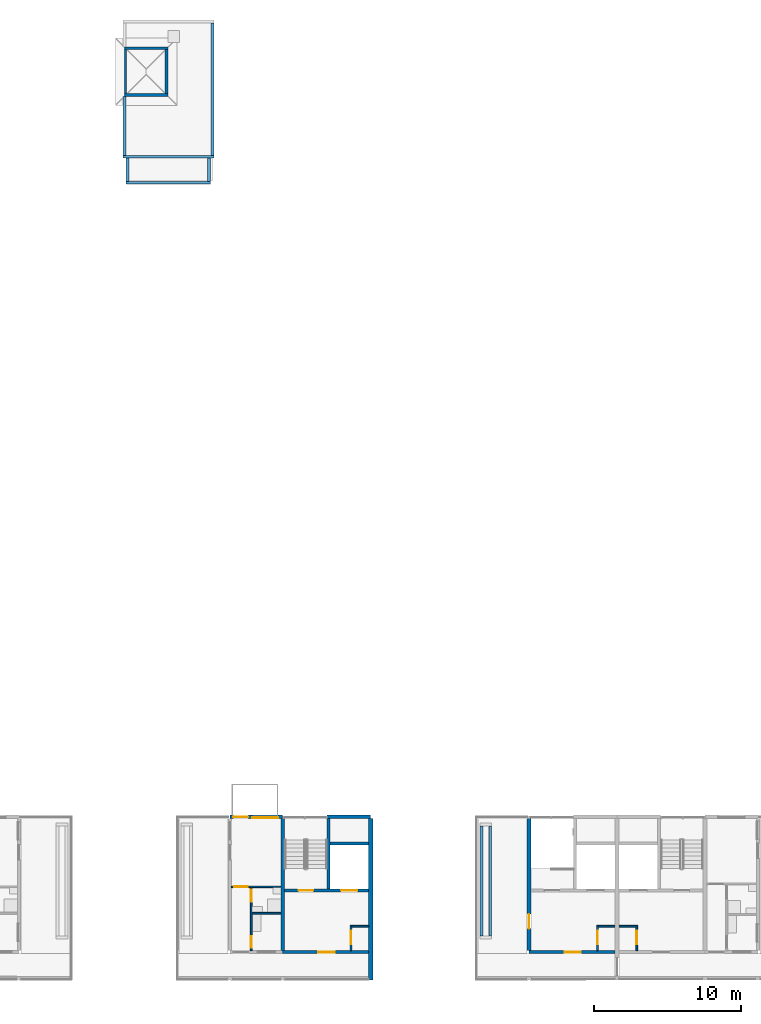
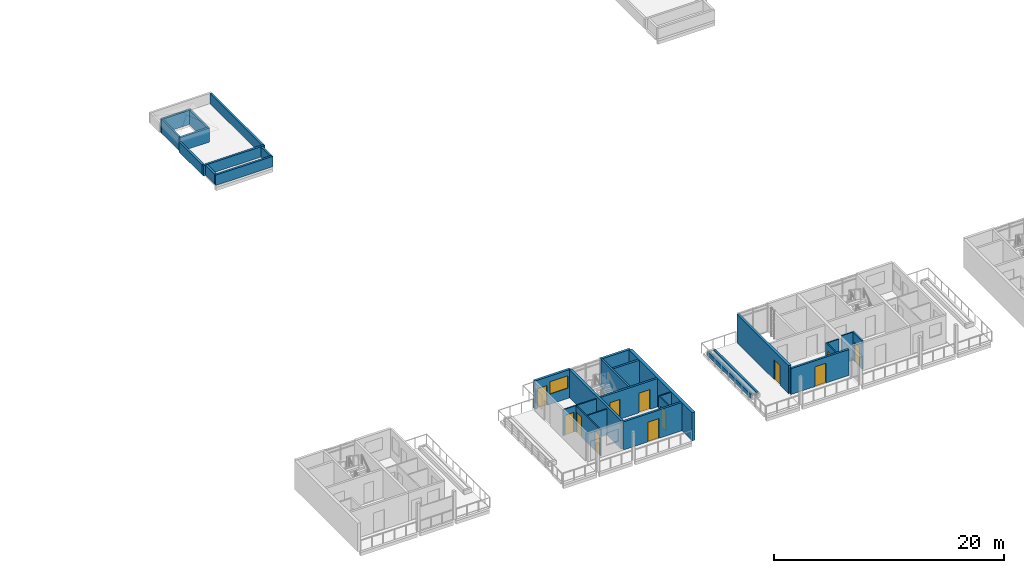
# One storey, part 23 of 41: 31 walls, 12 doors, 1 window, 13 openings.
"""IFC4 building model written with IfcOpenShell, lengths in metres."""

from ifc_helpers import new_model, si_unit, direction, frame, frame_2d, origin, place, context, subcontext, project, spatial, rectangle, extrude, material, layer, layer_set, type_object, element, fill, save


model = new_model("IFC4")

# Units and contexts
model_context = context("Model", 3, precision=1e-05, world=origin(), true_north=direction((0.0, 1.0)))
body_context = subcontext(model_context, "Body", "Model", "MODEL_VIEW")
ifc_project = project(units=[si_unit("LENGTHUNIT", "METRE"), si_unit("AREAUNIT", "SQUARE_METRE"), si_unit("VOLUMEUNIT", "CUBIC_METRE"), si_unit("PLANEANGLEUNIT", "RADIAN"), si_unit("MASSUNIT", "GRAM", prefix="KILO")], contexts=[model_context])

# Site, building, storey
site_placement = place(None, origin())
site = spatial("IfcSite", under=ifc_project, at=site_placement, CompositionType="ELEMENT")
building_placement = place(site_placement, origin())
building = spatial("IfcBuilding", under=site, at=building_placement, Name="Ridgestep Commons", CompositionType="ELEMENT")
storey_placement = place(building_placement, frame((0.0, 0.0, 39.0)))
storey = spatial("IfcBuildingStorey", under=building, at=storey_placement, Name="L13", CompositionType="ELEMENT", Elevation=39.0)

# Wall
ifc_material_1 = material(Name="Concrete C30/37", Category="concrete")
ifc_layer_1 = layer(ifc_material_1, 0.25)
ifc_layer_set_1 = layer_set([ifc_layer_1], Name="Core cross wall 250")
wall_type_1 = type_object("IfcWallType", Name="Core cross wall 250", PredefinedType="SHEAR", material=ifc_layer_set_1)
wall_1_placement = place(storey_placement, frame((191.199951171875, 13.75, 0.0), z_axis=(0.0, 0.0, 1.0), x_axis=(0.0, 1.0, 0.0)))
element("IfcWall", 1, at=wall_1_placement, inside=storey, type_object=wall_type_1, Name="Cross wall D-13-1912", PredefinedType="SHEAR", context=body_context, shape_type="SweptSolid", body=[
    extrude(rectangle(XDim=9.0, YDim=0.25, at=frame_2d((4.5, 0.0))), origin(), (0.0, 0.0, 1.0), 3.0),
])

# Wall, opening, door
ifc_material_2 = material(Name="Concrete C30/37", Category="concrete")
ifc_layer_2 = layer(ifc_material_2, 0.199951171875)
ifc_layer_set_2 = layer_set([ifc_layer_2], Name="Core south wall 200")
wall_type_2 = type_object("IfcWallType", Name="Core south wall 200", PredefinedType="SHEAR", material=ifc_layer_set_2)
wall_2_placement = place(storey_placement, frame((191.199951171875, 13.64990234375, 0.0), z_axis=(0.0, 0.0, 1.0), x_axis=(1.0, 0.0, 0.0)))
wall_2 = element("IfcWall", 2, at=wall_2_placement, inside=storey, type_object=wall_type_2, Name="Core south wall D3C L13", PredefinedType="SHEAR", context=body_context, shape_type="SweptSolid", body=[
    extrude(rectangle(XDim=5.85009765625, YDim=0.199951171875, at=frame_2d((2.925048828125, 0.0))), origin(), (0.0, 0.0, 1.0), 3.0),
])
opening_1_placement = place(wall_2_placement, frame((2.4375, 0.0, 0.0)))
opening_1 = element("IfcOpeningElement", 3, at=opening_1_placement, cuts=wall_2, Name="Opening D3C/13/1", PredefinedType="OPENING", context=body_context, shape_type="SweptSolid", body=[
    extrude(rectangle(XDim=1.10009765625, YDim=2.10009765625, at=frame_2d((0.550048828125, 1.050048828125))), frame((0.0, 0.10986328125, 0.0), z_axis=(0.0, -1.0, 0.0), x_axis=(1.0, 0.0, 0.0)), (0.0, 0.0, 1.0), 0.219970703125),
])
ifc_material_3 = material(Name="Steel fire door", Category="steel")
door_type_1 = type_object("IfcDoorType", Name="Lobby door 1100 x 2100 FD60", OperationType="NOTDEFINED", PredefinedType="DOOR", material=ifc_material_3)
door_1_placement = place(opening_1_placement, origin())
door_1 = element("IfcDoor", 4, at=door_1_placement, inside=storey, type_object=door_type_1, Name="Lobby door D3C/13/1", OperationType="SINGLE_SWING_LEFT", OverallHeight=2.10009765625, OverallWidth=1.10009765625, PredefinedType="DOOR", context=body_context, shape_type="SweptSolid", body=[
    extrude(rectangle(XDim=1.10009765625, YDim=2.10009765625, at=frame_2d((0.550048828125, 1.050048828125))), frame((0.0, 0.02490234375, 0.0), z_axis=(0.0, -1.0, 0.0), x_axis=(1.0, 0.0, 0.0)), (0.0, 0.0, 1.0), 0.050048828125),
])
fill(opening_1, door_1)

wall_3_placement = place(storey_placement, frame((208.0, 13.64990234375, 0.0), z_axis=(0.0, 0.0, 1.0), x_axis=(1.0, 0.0, 0.0)))
wall_3 = element("IfcWall", 5, at=wall_3_placement, inside=storey, type_object=wall_type_2, Name="Core south wall D4C L13", PredefinedType="SHEAR", context=body_context, shape_type="SweptSolid", body=[
    extrude(rectangle(XDim=5.85009765625, YDim=0.199951171875, at=frame_2d((2.925048828125, 0.0))), origin(), (0.0, 0.0, 1.0), 2.75),
])
opening_2_placement = place(wall_3_placement, frame((2.4375, 0.0, 0.0)))
opening_2 = element("IfcOpeningElement", 6, at=opening_2_placement, cuts=wall_3, Name="Opening D4C/13/1", PredefinedType="OPENING", context=body_context, shape_type="SweptSolid", body=[
    extrude(rectangle(XDim=1.10009765625, YDim=2.10009765625, at=frame_2d((0.550048828125, 1.050048828125))), frame((0.0, 0.10986328125, 0.0), z_axis=(0.0, -1.0, 0.0), x_axis=(1.0, 0.0, 0.0)), (0.0, 0.0, 1.0), 0.219970703125),
])
door_2_placement = place(opening_2_placement, origin())
door_2 = element("IfcDoor", 7, at=door_2_placement, inside=storey, type_object=door_type_1, Name="Lobby door D4C/13/1", OperationType="SINGLE_SWING_LEFT", OverallHeight=2.10009765625, OverallWidth=1.10009765625, PredefinedType="DOOR", context=body_context, shape_type="SweptSolid", body=[
    extrude(rectangle(XDim=1.10009765625, YDim=2.10009765625, at=frame_2d((0.550048828125, 1.050048828125))), frame((0.0, 0.02490234375, 0.0), z_axis=(0.0, -1.0, 0.0), x_axis=(1.0, 0.0, 0.0)), (0.0, 0.0, 1.0), 0.050048828125),
])
fill(opening_2, door_2)

ifc_material_4 = material(Name="Concrete C30/37", Category="concrete")
ifc_layer_3 = layer(ifc_material_4, 0.1201171875)
ifc_layer_set_3 = layer_set([ifc_layer_3], Name="Core wall 120")
wall_type_3 = type_object("IfcWallType", Name="Core wall 120", PredefinedType="SHEAR", material=ifc_layer_set_3)
wall_4_placement = place(storey_placement, frame((195.860107421875, 13.75, 0.0), z_axis=(0.0, 0.0, 1.0), x_axis=(0.0, 1.0, 0.0)))
wall_4 = element("IfcWall", 8, at=wall_4_placement, inside=storey, type_object=wall_type_3, Name="Core riser w wall D3C L13", PredefinedType="SHEAR", context=body_context, shape_type="SweptSolid", body=[
    extrude(rectangle(XDim=1.719970703125, YDim=0.1201171875, at=frame_2d((0.85986328125, 0.0))), origin(), (0.0, 0.0, 1.0), 3.0),
])
opening_3_placement = place(wall_4_placement, frame((0.449951171875, 0.0, 0.0)))
opening_3 = element("IfcOpeningElement", 9, at=opening_3_placement, cuts=wall_4, Name="Opening D3C/13/4", PredefinedType="OPENING", context=body_context, shape_type="SweptSolid", body=[
    extrude(rectangle(XDim=0.89990234375, YDim=2.10009765625, at=frame_2d((0.449951171875, 1.050048828125))), frame((0.0, 0.070068359375, 0.0), z_axis=(0.0, -1.0, 0.0), x_axis=(1.0, 0.0, 0.0)), (0.0, 0.0, 1.0), 0.14013671875),
])
ifc_material_5 = material(Name="Steel fire door", Category="steel")
door_type_2 = type_object("IfcDoorType", Name="Riser door 900 x 2100 FD60", OperationType="NOTDEFINED", PredefinedType="DOOR", material=ifc_material_5)
door_3_placement = place(opening_3_placement, origin())
door_3 = element("IfcDoor", 10, at=door_3_placement, inside=storey, type_object=door_type_2, Name="Riser door D3C/13/4", OperationType="SINGLE_SWING_LEFT", OverallHeight=2.10009765625, OverallWidth=0.89990234375, PredefinedType="DOOR", context=body_context, shape_type="SweptSolid", body=[
    extrude(rectangle(XDim=0.89990234375, YDim=2.10009765625, at=frame_2d((0.449951171875, 1.050048828125))), frame((0.0, 0.02490234375, 0.0), z_axis=(0.0, -1.0, 0.0), x_axis=(1.0, 0.0, 0.0)), (0.0, 0.0, 1.0), 0.050048828125),
])
fill(opening_3, door_3)

# Wall
wall_5_placement = place(storey_placement, frame((195.919921875, 15.409912109375, 0.0), z_axis=(0.0, 0.0, 1.0), x_axis=(1.0, 0.0, 0.0)))
element("IfcWall", 11, at=wall_5_placement, inside=storey, type_object=wall_type_3, Name="Core riser n wall D3C L13", PredefinedType="SHEAR", context=body_context, shape_type="SweptSolid", body=[
    extrude(rectangle(XDim=1.130126953125, YDim=0.1201171875, at=frame_2d((0.56494140625, 0.0))), origin(), (0.0, 0.0, 1.0), 3.0),
])

# Wall, opening, door
wall_6_placement = place(storey_placement, frame((212.659912109375, 13.75, 0.0), z_axis=(0.0, 0.0, 1.0), x_axis=(0.0, 1.0, 0.0)))
wall_6 = element("IfcWall", 12, at=wall_6_placement, inside=storey, type_object=wall_type_3, Name="Core riser w wall D4C L13", PredefinedType="SHEAR", context=body_context, shape_type="SweptSolid", body=[
    extrude(rectangle(XDim=1.719970703125, YDim=0.1201171875, at=frame_2d((0.85986328125, 0.0))), origin(), (0.0, 0.0, 1.0), 2.75),
])
opening_4_placement = place(wall_6_placement, frame((0.449951171875, 0.0, 0.0)))
opening_4 = element("IfcOpeningElement", 13, at=opening_4_placement, cuts=wall_6, Name="Opening D4C/13/4", PredefinedType="OPENING", context=body_context, shape_type="SweptSolid", body=[
    extrude(rectangle(XDim=0.89990234375, YDim=2.10009765625, at=frame_2d((0.449951171875, 1.050048828125))), frame((0.0, 0.070068359375, 0.0), z_axis=(0.0, -1.0, 0.0), x_axis=(1.0, 0.0, 0.0)), (0.0, 0.0, 1.0), 0.14013671875),
])
door_4_placement = place(opening_4_placement, origin())
door_4 = element("IfcDoor", 14, at=door_4_placement, inside=storey, type_object=door_type_2, Name="Riser door D4C/13/4", OperationType="SINGLE_SWING_LEFT", OverallHeight=2.10009765625, OverallWidth=0.89990234375, PredefinedType="DOOR", context=body_context, shape_type="SweptSolid", body=[
    extrude(rectangle(XDim=0.89990234375, YDim=2.10009765625, at=frame_2d((0.449951171875, 1.050048828125))), frame((0.0, 0.02490234375, 0.0), z_axis=(0.0, -1.0, 0.0), x_axis=(1.0, 0.0, 0.0)), (0.0, 0.0, 1.0), 0.050048828125),
])
fill(opening_4, door_4)

# Wall
wall_7_placement = place(storey_placement, frame((212.719970703125, 15.409912109375, 0.0), z_axis=(0.0, 0.0, 1.0), x_axis=(1.0, 0.0, 0.0)))
element("IfcWall", 15, at=wall_7_placement, inside=storey, type_object=wall_type_3, Name="Core riser n wall D4C L13", PredefinedType="SHEAR", context=body_context, shape_type="SweptSolid", body=[
    extrude(rectangle(XDim=1.130126953125, YDim=0.1201171875, at=frame_2d((0.56494140625, 0.0))), origin(), (0.0, 0.0, 1.0), 2.75),
])

# Wall, opening, door
wall_8_placement = place(storey_placement, frame((215.340087890625, 13.75, 0.0), z_axis=(0.0, 0.0, 1.0), x_axis=(0.0, 1.0, 0.0)))
wall_8 = element("IfcWall", 16, at=wall_8_placement, inside=storey, type_object=wall_type_3, Name="Core riser w wall D5C L13", PredefinedType="SHEAR", context=body_context, shape_type="SweptSolid", body=[
    extrude(rectangle(XDim=1.719970703125, YDim=0.1201171875, at=frame_2d((0.85986328125, 0.0))), origin(), (0.0, 0.0, 1.0), 3.0),
])
opening_5_placement = place(wall_8_placement, frame((0.449951171875, 0.0, 0.0)))
opening_5 = element("IfcOpeningElement", 17, at=opening_5_placement, cuts=wall_8, Name="Opening D5C/13/4", PredefinedType="OPENING", context=body_context, shape_type="SweptSolid", body=[
    extrude(rectangle(XDim=0.89990234375, YDim=2.10009765625, at=frame_2d((0.449951171875, 1.050048828125))), frame((0.0, 0.070068359375, 0.0), z_axis=(0.0, -1.0, 0.0), x_axis=(1.0, 0.0, 0.0)), (0.0, 0.0, 1.0), 0.14013671875),
])
door_5_placement = place(opening_5_placement, origin())
door_5 = element("IfcDoor", 18, at=door_5_placement, inside=storey, type_object=door_type_2, Name="Riser door D5C/13/4", OperationType="SINGLE_SWING_RIGHT", OverallHeight=2.10009765625, OverallWidth=0.89990234375, PredefinedType="DOOR", context=body_context, shape_type="SweptSolid", body=[
    extrude(rectangle(XDim=0.89990234375, YDim=2.10009765625, at=frame_2d((0.449951171875, 1.050048828125))), frame((0.0, 0.02490234375, 0.0), z_axis=(0.0, -1.0, 0.0), x_axis=(1.0, 0.0, 0.0)), (0.0, 0.0, 1.0), 0.050048828125),
])
fill(opening_5, door_5)

# Wall
wall_9_placement = place(storey_placement, frame((214.14990234375, 15.409912109375, 0.0), z_axis=(0.0, 0.0, 1.0), x_axis=(1.0, 0.0, 0.0)))
element("IfcWall", 19, at=wall_9_placement, inside=storey, type_object=wall_type_3, Name="Core riser n wall D5C L13", PredefinedType="SHEAR", context=body_context, shape_type="SweptSolid", body=[
    extrude(rectangle(XDim=1.130126953125, YDim=0.1201171875, at=frame_2d((0.56494140625, 0.0))), origin(), (0.0, 0.0, 1.0), 3.0),
])

# Wall, openings, doors
ifc_material_6 = material(Name="Concrete C30/37", Category="concrete")
ifc_layer_4 = layer(ifc_material_6, 0.199951171875)
ifc_layer_set_4 = layer_set([ifc_layer_4], Name="Core wall 200")
wall_type_4 = type_object("IfcWallType", Name="Core wall 200", PredefinedType="SHEAR", material=ifc_layer_set_4)
wall_10_placement = place(storey_placement, frame((191.324951171875, 17.85009765625, 0.0), z_axis=(0.0, 0.0, 1.0), x_axis=(1.0, 0.0, 0.0)))
wall_10 = element("IfcWall", 20, at=wall_10_placement, inside=storey, type_object=wall_type_4, Name="Core lobby wall D3C L13", PredefinedType="SHEAR", context=body_context, shape_type="SweptSolid", body=[
    extrude(rectangle(XDim=5.72509765625, YDim=0.199951171875, at=frame_2d((2.862548828125, 0.0))), origin(), (0.0, 0.0, 1.0), 3.0),
])
opening_6_placement = place(wall_10_placement, frame((0.949951171875, 0.0, 0.0)))
opening_6 = element("IfcOpeningElement", 21, at=opening_6_placement, cuts=wall_10, Name="Opening D3C/13/2", PredefinedType="OPENING", context=body_context, shape_type="SweptSolid", body=[
    extrude(rectangle(XDim=1.0, YDim=2.10009765625, at=frame_2d((0.5, 1.050048828125))), frame((0.0, 0.10986328125, 0.0), z_axis=(0.0, -1.0, 0.0), x_axis=(1.0, 0.0, 0.0)), (0.0, 0.0, 1.0), 0.219970703125),
])
opening_7_placement = place(wall_10_placement, frame((3.862548828125, 0.0, 0.0)))
opening_7 = element("IfcOpeningElement", 22, at=opening_7_placement, cuts=wall_10, Name="Opening D3C/13/3", PredefinedType="OPENING", context=body_context, shape_type="SweptSolid", body=[
    extrude(rectangle(XDim=1.10009765625, YDim=2.10009765625, at=frame_2d((0.550048828125, 1.050048828125))), frame((0.0, 0.10986328125, 0.0), z_axis=(0.0, -1.0, 0.0), x_axis=(1.0, 0.0, 0.0)), (0.0, 0.0, 1.0), 0.219970703125),
])
ifc_material_7 = material(Name="Stainless steel", Category="steel")
door_type_3 = type_object("IfcDoorType", Name="Lift landing door 1100 x 2100 FD60", OperationType="DOUBLE_DOOR_SLIDING", PredefinedType="DOOR", material=ifc_material_7)
door_6_placement = place(opening_7_placement, origin())
door_6 = element("IfcDoor", 23, at=door_6_placement, inside=storey, type_object=door_type_3, Name="Landing door LD D3C L13", OperationType="DOUBLE_DOOR_SLIDING", OverallHeight=2.10009765625, OverallWidth=1.10009765625, PredefinedType="DOOR", context=body_context, shape_type="SweptSolid", body=[
    extrude(rectangle(XDim=1.10009765625, YDim=2.10009765625, at=frame_2d((0.550048828125, 1.050048828125))), frame((0.0, 0.02490234375, 0.0), z_axis=(0.0, -1.0, 0.0), x_axis=(1.0, 0.0, 0.0)), (0.0, 0.0, 1.0), 0.050048828125),
])
fill(opening_7, door_6)
ifc_material_8 = material(Name="Steel fire door", Category="steel")
door_type_4 = type_object("IfcDoorType", Name="Stair door 1000 x 2100 FD60", OperationType="NOTDEFINED", PredefinedType="DOOR", material=ifc_material_8)
door_7_placement = place(opening_6_placement, origin())
door_7 = element("IfcDoor", 24, at=door_7_placement, inside=storey, type_object=door_type_4, Name="Stair door D3C/13/2", OperationType="SINGLE_SWING_RIGHT", OverallHeight=2.10009765625, OverallWidth=1.0, PredefinedType="DOOR", context=body_context, shape_type="SweptSolid", body=[
    extrude(rectangle(XDim=1.0, YDim=2.10009765625, at=frame_2d((0.5, 1.050048828125))), frame((0.0, 0.02490234375, 0.0), z_axis=(0.0, -1.0, 0.0), x_axis=(1.0, 0.0, 0.0)), (0.0, 0.0, 1.0), 0.050048828125),
])
fill(opening_6, door_7)

# Walls
wall_11_placement = place(storey_placement, frame((194.324951171875, 17.949951171875, 0.0), z_axis=(0.0, 0.0, 1.0), x_axis=(0.0, 1.0, 0.0)))
element("IfcWall", 25, at=wall_11_placement, inside=storey, type_object=wall_type_4, Name="Core stair wall D3C L13", PredefinedType="SHEAR", context=body_context, shape_type="SweptSolid", body=[
    extrude(rectangle(XDim=4.800048828125, YDim=0.199951171875, at=frame_2d((2.39990234375, 0.0))), origin(), (0.0, 0.0, 1.0), 3.0),
])
wall_12_placement = place(storey_placement, frame((194.425048828125, 21.050048828125, 0.0), z_axis=(0.0, 0.0, 1.0), x_axis=(1.0, 0.0, 0.0)))
element("IfcWall", 26, at=wall_12_placement, inside=storey, type_object=wall_type_4, Name="Core duct wall D3C L13", PredefinedType="SHEAR", context=body_context, shape_type="SweptSolid", body=[
    extrude(rectangle(XDim=2.625, YDim=0.199951171875, at=frame_2d((1.3125, 0.0))), origin(), (0.0, 0.0, 1.0), 3.0),
])

# Wall, opening, door
ifc_material_9 = material(Name="Concrete C30/37", Category="concrete")
ifc_layer_5 = layer(ifc_material_9, 0.25)
ifc_layer_set_5 = layer_set([ifc_layer_5], Name="Exposed core cross wall 250")
wall_type_5 = type_object("IfcWallType", Name="Exposed core cross wall 250", PredefinedType="SHEAR", material=ifc_layer_set_5)
wall_13_placement = place(storey_placement, frame((208.0, 13.75, 0.0), z_axis=(0.0, 0.0, 1.0), x_axis=(0.0, 1.0, 0.0)))
wall_13 = element("IfcWall", 27, at=wall_13_placement, inside=storey, type_object=wall_type_5, Name="Cross wall D-13-2080", PredefinedType="SHEAR", context=body_context, shape_type="SweptSolid", body=[
    extrude(rectangle(XDim=9.0, YDim=0.25, at=frame_2d((4.5, 0.0))), origin(), (0.0, 0.0, 1.0), 3.0),
])
opening_8_placement = place(wall_13_placement, frame((1.5, 0.0, 0.0)))
opening_8 = element("IfcOpeningElement", 28, at=opening_8_placement, cuts=wall_13, Name="Opening D4C/13/T", PredefinedType="OPENING", context=body_context, shape_type="SweptSolid", body=[
    extrude(rectangle(XDim=1.0, YDim=2.10009765625, at=frame_2d((0.5, 1.050048828125))), frame((0.0, 0.135009765625, 0.0), z_axis=(0.0, -1.0, 0.0), x_axis=(1.0, 0.0, 0.0)), (0.0, 0.0, 1.0), 0.27001953125),
])
ifc_material_10 = material(Name="Aluminium and glass", Category="aluminium")
door_type_5 = type_object("IfcDoorType", Name="Terrace door 1000 x 2100 FD60", OperationType="NOTDEFINED", PredefinedType="DOOR", material=ifc_material_10)
door_8_placement = place(opening_8_placement, origin())
door_8 = element("IfcDoor", 29, at=door_8_placement, inside=storey, type_object=door_type_5, Name="Terrace door D4C/13/T", OperationType="SINGLE_SWING_LEFT", OverallHeight=2.10009765625, OverallWidth=1.0, PredefinedType="DOOR", context=body_context, shape_type="SweptSolid", body=[
    extrude(rectangle(XDim=1.0, YDim=2.10009765625, at=frame_2d((0.5, 1.050048828125))), frame((0.0, 0.02490234375, 0.0), z_axis=(0.0, -1.0, 0.0), x_axis=(1.0, 0.0, 0.0)), (0.0, 0.0, 1.0), 0.050048828125),
])
fill(opening_8, door_8)

# Walls
ifc_material_11 = material(Name="Precast concrete C40/50", Category="concrete")
ifc_layer_6 = layer(ifc_material_11, 0.300048828125)
ifc_layer_set_6 = layer_set([ifc_layer_6], Name="Exposed division wall 300")
wall_type_6 = type_object("IfcWallType", Name="Exposed division wall 300", PredefinedType="SHEAR", material=ifc_layer_set_6)
wall_14_placement = place(storey_placement, frame((197.199951171875, 11.75, 0.0), z_axis=(0.0, 0.0, 1.0), x_axis=(0.0, 1.0, 0.0)))
element("IfcWall", 30, at=wall_14_placement, inside=storey, type_object=wall_type_6, Name="Cross wall D-13-1972", PredefinedType="SHEAR", context=body_context, shape_type="SweptSolid", body=[
    extrude(rectangle(XDim=11.0, YDim=0.300048828125, at=frame_2d((5.5, 0.0))), origin(), (0.0, 0.0, 1.0), 3.0),
])
ifc_material_12 = material(Name="Concrete C30/37", Category="concrete")
ifc_layer_7 = layer(ifc_material_12, 0.14990234375)
ifc_layer_set_7 = layer_set([ifc_layer_7], Name="Lift overrun wall 150")
wall_type_7 = type_object("IfcWallType", Name="Lift overrun wall 150", PredefinedType="SHEAR", material=ifc_layer_set_7)
wall_15_placement = place(storey_placement, frame((180.47509765625, 72.199951171875, 0.0), z_axis=(0.0, 0.0, 1.0), x_axis=(0.0, 1.0, 0.0)))
element("IfcWall", 31, at=wall_15_placement, inside=storey, type_object=wall_type_7, Name="Lift overrun wall C3C", PredefinedType="SHEAR", context=body_context, shape_type="SweptSolid", body=[
    extrude(rectangle(XDim=3.0, YDim=0.14990234375, at=frame_2d((1.5, 0.0))), origin(), (0.0, 0.0, 1.0), 1.5),
])
ifc_material_13 = material(Name="Concrete C30/37", Category="concrete")
ifc_layer_8 = layer(ifc_material_13, 0.199951171875)
ifc_layer_set_8 = layer_set([ifc_layer_8], Name="Lift overrun wall 200")
wall_type_8 = type_object("IfcWallType", Name="Lift overrun wall 200", PredefinedType="SHEAR", material=ifc_layer_set_8)
for number, where, z_axis, x_axis, name in (
    (32, (180.39990234375, 72.10009765625, 0.0), (0.0, 0.0, 1.0), (1.0, 0.0, 0.0), "Lift overrun wall C3C"),
    (33, (180.39990234375, 75.300048828125, 0.0), (0.0, 0.0, 1.0), (1.0, 0.0, 0.0), "Lift overrun wall C3C"),
):
    element("IfcWall", number, at=place(storey_placement, frame(where, z_axis=z_axis, x_axis=x_axis)), inside=storey, type_object=wall_type_8, Name=name, PredefinedType="SHEAR", context=body_context, shape_type="SweptSolid", body=[
        extrude(rectangle(XDim=2.97509765625, YDim=0.199951171875, at=frame_2d((1.487548828125, 0.0))), origin(), (0.0, 0.0, 1.0), 1.5),
    ])
wall_16_placement = place(storey_placement, frame((183.27490234375, 72.199951171875, 0.0), z_axis=(0.0, 0.0, 1.0), x_axis=(0.0, 1.0, 0.0)))
element("IfcWall", 34, at=wall_16_placement, inside=storey, type_object=wall_type_8, Name="Lift overrun wall C3C", PredefinedType="SHEAR", context=body_context, shape_type="SweptSolid", body=[
    extrude(rectangle(XDim=3.0, YDim=0.199951171875, at=frame_2d((1.5, 0.0))), origin(), (0.0, 0.0, 1.0), 1.5),
])

# Wall, openings, door, window
ifc_material_14 = material(Name="Precast concrete C40/50", Category="concrete")
ifc_layer_9 = layer(ifc_material_14, 0.25)
ifc_layer_set_9 = layer_set([ifc_layer_9], Name="North facade panel 250")
wall_type_9 = type_object("IfcWallType", Name="North facade panel 250", PredefinedType="SOLIDWALL", material=ifc_layer_set_9)
wall_17_placement = place(storey_placement, frame((187.60009765625, 22.875, 0.0), z_axis=(0.0, 0.0, 1.0), x_axis=(1.0, 0.0, 0.0)))
wall_17 = element("IfcWall", 35, at=wall_17_placement, inside=storey, type_object=wall_type_9, Name="North panel D3T3 L13", PredefinedType="SOLIDWALL", context=body_context, shape_type="SweptSolid", body=[
    extrude(rectangle(XDim=3.599853515625, YDim=0.25, at=frame_2d((1.7998046875, 0.0))), origin(), (0.0, 0.0, 1.0), 3.0),
])
opening_9_placement = place(wall_17_placement, frame((1.507080078125, 0.0, 1.10009765625)))
opening_9 = element("IfcOpeningElement", 36, at=opening_9_placement, cuts=wall_17, Name="Opening W18", PredefinedType="OPENING", context=body_context, shape_type="SweptSolid", body=[
    extrude(rectangle(XDim=1.800048828125, YDim=1.300048828125, at=frame_2d((0.89990234375, 0.64990234375))), frame((0.0, 0.135009765625, 0.0), z_axis=(0.0, -1.0, 0.0), x_axis=(1.0, 0.0, 0.0)), (0.0, 0.0, 1.0), 0.27001953125),
])
opening_10_placement = place(wall_17_placement, frame((0.239013671875, 0.0, 0.0)))
opening_10 = element("IfcOpeningElement", 37, at=opening_10_placement, cuts=wall_17, Name="Opening D3-13a/6", PredefinedType="OPENING", context=body_context, shape_type="SweptSolid", body=[
    extrude(rectangle(XDim=1.0, YDim=2.10009765625, at=frame_2d((0.5, 1.050048828125))), frame((0.0, 0.135009765625, 0.0), z_axis=(0.0, -1.0, 0.0), x_axis=(1.0, 0.0, 0.0)), (0.0, 0.0, 1.0), 0.27001953125),
])
ifc_material_15 = material(Name="Aluminium and glass", Category="aluminium")
door_type_6 = type_object("IfcDoorType", Name="Balcony door 1000 x 2100", OperationType="NOTDEFINED", PredefinedType="DOOR", material=ifc_material_15)
door_9_placement = place(opening_10_placement, origin())
door_9 = element("IfcDoor", 38, at=door_9_placement, inside=storey, type_object=door_type_6, Name="Balcony door D3-13a/6", OperationType="SINGLE_SWING_RIGHT", OverallHeight=2.10009765625, OverallWidth=1.0, PredefinedType="DOOR", context=body_context, shape_type="SweptSolid", body=[
    extrude(rectangle(XDim=1.0, YDim=2.10009765625, at=frame_2d((0.5, 1.050048828125))), frame((0.0, 0.02490234375, 0.0), z_axis=(0.0, -1.0, 0.0), x_axis=(1.0, 0.0, 0.0)), (0.0, 0.0, 1.0), 0.050048828125),
])
fill(opening_10, door_9)
ifc_material_16 = material(Name="Aluminium 6063-T6 and glass", Category="aluminium")
window_type = type_object("IfcWindowType", Name="Flat window 1800 x 1300", PartitioningType="DOUBLE_PANEL_VERTICAL", PredefinedType="WINDOW", material=ifc_material_16)
window_placement = place(opening_9_placement, origin())
window = element("IfcWindow", 39, at=window_placement, inside=storey, type_object=window_type, Name="Window D3-13a 2", OverallHeight=1.300048828125, OverallWidth=1.800048828125, PartitioningType="SINGLE_PANEL", PredefinedType="WINDOW", context=body_context, shape_type="SweptSolid", body=[
    extrude(rectangle(XDim=1.800048828125, YDim=1.300048828125, at=frame_2d((0.89990234375, 0.64990234375))), frame((0.0, -0.02490234375, 0.0), z_axis=(0.0, -1.0, 0.0), x_axis=(1.0, 0.0, 0.0)), (0.0, 0.0, 1.0), 0.06005859375),
])
fill(opening_9, window)

# Walls
wall_18_placement = place(storey_placement, frame((194.22509765625, 22.875, 0.0), z_axis=(0.0, 0.0, 1.0), x_axis=(1.0, 0.0, 0.0)))
element("IfcWall", 40, at=wall_18_placement, inside=storey, type_object=wall_type_9, Name="North panel D3C L13", PredefinedType="SOLIDWALL", context=body_context, shape_type="SweptSolid", body=[
    extrude(rectangle(XDim=2.974853515625, YDim=0.25, at=frame_2d((1.4873046875, 0.0))), origin(), (0.0, 0.0, 1.0), 3.0),
])
ifc_material_17 = material(Name="Precast concrete C40/50", Category="concrete")
ifc_layer_10 = layer(ifc_material_17, 0.199951171875)
ifc_layer_set_10 = layer_set([ifc_layer_10], Name="Parapet wall 200")
wall_type_10 = type_object("IfcWallType", Name="Parapet wall 200", PredefinedType="PARAPET", material=ifc_layer_set_10)
wall_19_placement = place(storey_placement, frame((180.300048828125, 67.89990234375, 0.0), z_axis=(0.0, 0.0, 1.0), x_axis=(1.0, 0.0, 0.0)))
element("IfcWall", 41, at=wall_19_placement, inside=storey, type_object=wall_type_10, Name="Parapet C3C south", PredefinedType="PARAPET", context=body_context, shape_type="SweptSolid", body=[
    extrude(rectangle(XDim=6.199951171875, YDim=0.199951171875, at=frame_2d((3.10009765625, 0.0))), origin(), (0.0, 0.0, 1.0), 1.10009765625),
])
wall_20_placement = place(storey_placement, frame((180.39990234375, 68.0, 0.0), z_axis=(0.0, 0.0, 1.0), x_axis=(0.0, 1.0, 0.0)))
element("IfcWall", 42, at=wall_20_placement, inside=storey, type_object=wall_type_10, Name="Parapet C3C west", PredefinedType="PARAPET", context=body_context, shape_type="SweptSolid", body=[
    extrude(rectangle(XDim=4.0, YDim=0.199951171875, at=frame_2d((2.0, 0.0))), origin(), (0.0, 0.0, 1.0), 1.10009765625),
])
wall_21_placement = place(storey_placement, frame((186.39990234375, 68.0, 0.0), z_axis=(0.0, 0.0, 1.0), x_axis=(0.0, 1.0, 0.0)))
element("IfcWall", 43, at=wall_21_placement, inside=storey, type_object=wall_type_10, Name="Parapet C3C east", PredefinedType="PARAPET", context=body_context, shape_type="SweptSolid", body=[
    extrude(rectangle(XDim=9.02490234375, YDim=0.199951171875, at=frame_2d((4.512451171875, 0.0))), origin(), (0.0, 0.0, 1.0), 1.10009765625),
])
wall_22_placement = place(storey_placement, frame((180.52490234375, 66.125, 0.0), z_axis=(0.0, 0.0, 1.0), x_axis=(1.0, 0.0, 0.0)))
element("IfcWall", 44, at=wall_22_placement, inside=storey, type_object=wall_type_10, Name="Parapet C3C gallery south", PredefinedType="PARAPET", context=body_context, shape_type="SweptSolid", body=[
    extrude(rectangle(XDim=5.75, YDim=0.199951171875, at=frame_2d((2.875, 0.0))), origin(), (0.0, 0.0, 1.0), 1.10009765625),
])
for number, where, z_axis, x_axis, name in (
    (45, (180.625, 66.22509765625, 0.0), (0.0, 0.0, 1.0), (0.0, 1.0, 0.0), "Parapet C3C gallery west"),
    (46, (186.175048828125, 66.22509765625, 0.0), (0.0, 0.0, 1.0), (0.0, 1.0, 0.0), "Parapet C3C gallery east"),
):
    element("IfcWall", number, at=place(storey_placement, frame(where, z_axis=z_axis, x_axis=x_axis)), inside=storey, type_object=wall_type_10, Name=name, PredefinedType="PARAPET", context=body_context, shape_type="SweptSolid", body=[
        extrude(rectangle(XDim=1.574951171875, YDim=0.199951171875, at=frame_2d((0.78759765625, 0.0))), origin(), (0.0, 0.0, 1.0), 1.10009765625),
    ])

# Wall, openings, doors
ifc_material_18 = material(Name="Common brick 110 mm", Category="masonry")
ifc_layer_11 = layer(ifc_material_18, 0.110107421875)
ifc_layer_set_11 = layer_set([ifc_layer_11], Name="Partition 110")
wall_type_11 = type_object("IfcWallType", Name="Partition 110", PredefinedType="PARTITIONING", material=ifc_layer_set_11)
wall_23_placement = place(storey_placement, frame((189.054931640625, 13.75, 0.0), z_axis=(0.0, 0.0, 1.0), x_axis=(0.0, 1.0, 0.0)))
wall_23 = element("IfcWall", 47, at=wall_23_placement, inside=storey, type_object=wall_type_11, Name="Partition D3-13a", PredefinedType="PARTITIONING", context=body_context, shape_type="SweptSolid", body=[
    extrude(rectangle(XDim=4.300048828125, YDim=0.110107421875, at=frame_2d((2.14990234375, 0.0))), origin(), (0.0, 0.0, 1.0), 2.75),
])
opening_11_placement = place(wall_23_placement, frame((0.199951171875, 0.0, 0.0)))
opening_11 = element("IfcOpeningElement", 48, at=opening_11_placement, cuts=wall_23, Name="Opening D3-13a/2", PredefinedType="OPENING", context=body_context, shape_type="SweptSolid", body=[
    extrude(rectangle(XDim=0.800048828125, YDim=2.10009765625, at=frame_2d((0.39990234375, 1.050048828125))), frame((0.0, 0.06494140625, 0.0), z_axis=(0.0, -1.0, 0.0), x_axis=(1.0, 0.0, 0.0)), (0.0, 0.0, 1.0), 0.130126953125),
])
opening_12_placement = place(wall_23_placement, frame((3.35009765625, 0.0, 0.0)))
opening_12 = element("IfcOpeningElement", 49, at=opening_12_placement, cuts=wall_23, Name="Opening D3-13a/3", PredefinedType="OPENING", context=body_context, shape_type="SweptSolid", body=[
    extrude(rectangle(XDim=0.800048828125, YDim=2.10009765625, at=frame_2d((0.39990234375, 1.050048828125))), frame((0.0, 0.06494140625, 0.0), z_axis=(0.0, -1.0, 0.0), x_axis=(1.0, 0.0, 0.0)), (0.0, 0.0, 1.0), 0.130126953125),
])
ifc_material_19 = material(Name="Timber door leaf", Category="wood")
door_type_7 = type_object("IfcDoorType", Name="Internal door 800 x 2100", OperationType="NOTDEFINED", PredefinedType="DOOR", material=ifc_material_19)
door_10_placement = place(opening_11_placement, origin())
door_10 = element("IfcDoor", 50, at=door_10_placement, inside=storey, type_object=door_type_7, Name="Internal door D3-13a/2", OperationType="SINGLE_SWING_RIGHT", OverallHeight=2.10009765625, OverallWidth=0.800048828125, PredefinedType="DOOR", context=body_context, shape_type="SweptSolid", body=[
    extrude(rectangle(XDim=0.800048828125, YDim=2.10009765625, at=frame_2d((0.39990234375, 1.050048828125))), frame((0.0, 0.02490234375, 0.0), z_axis=(0.0, -1.0, 0.0), x_axis=(1.0, 0.0, 0.0)), (0.0, 0.0, 1.0), 0.050048828125),
])
fill(opening_11, door_10)
door_11_placement = place(opening_12_placement, origin())
door_11 = element("IfcDoor", 51, at=door_11_placement, inside=storey, type_object=door_type_7, Name="Internal door D3-13a/3", OperationType="SINGLE_SWING_LEFT", OverallHeight=2.10009765625, OverallWidth=0.800048828125, PredefinedType="DOOR", context=body_context, shape_type="SweptSolid", body=[
    extrude(rectangle(XDim=0.800048828125, YDim=2.10009765625, at=frame_2d((0.39990234375, 1.050048828125))), frame((0.0, 0.02490234375, 0.0), z_axis=(0.0, -1.0, 0.0), x_axis=(1.0, 0.0, 0.0)), (0.0, 0.0, 1.0), 0.050048828125),
])
fill(opening_12, door_11)

# Wall
wall_24_placement = place(storey_placement, frame((189.110107421875, 16.304931640625, 0.0), z_axis=(0.0, 0.0, 1.0), x_axis=(1.0, 0.0, 0.0)))
element("IfcWall", 52, at=wall_24_placement, inside=storey, type_object=wall_type_11, Name="Partition D3-13a", PredefinedType="PARTITIONING", context=body_context, shape_type="SweptSolid", body=[
    extrude(rectangle(XDim=1.96484375, YDim=0.110107421875, at=frame_2d((0.982421875, 0.0))), origin(), (0.0, 0.0, 1.0), 2.75),
])

# Wall, opening, door
wall_25_placement = place(storey_placement, frame((187.699951171875, 18.10498046875, 0.0), z_axis=(0.0, 0.0, 1.0), x_axis=(1.0, 0.0, 0.0)))
wall_25 = element("IfcWall", 53, at=wall_25_placement, inside=storey, type_object=wall_type_11, Name="Partition D3-13a", PredefinedType="PARTITIONING", context=body_context, shape_type="SweptSolid", body=[
    extrude(rectangle(XDim=3.375, YDim=0.110107421875, at=frame_2d((1.6875, 0.0))), origin(), (0.0, 0.0, 1.0), 2.75),
])
opening_13_placement = place(wall_25_placement, frame((0.199951171875, 0.0, 0.0)))
opening_13 = element("IfcOpeningElement", 54, at=opening_13_placement, cuts=wall_25, Name="Opening D3-13a/4", PredefinedType="OPENING", context=body_context, shape_type="SweptSolid", body=[
    extrude(rectangle(XDim=0.89990234375, YDim=2.10009765625, at=frame_2d((0.449951171875, 1.050048828125))), frame((0.0, 0.06494140625, 0.0), z_axis=(0.0, -1.0, 0.0), x_axis=(1.0, 0.0, 0.0)), (0.0, 0.0, 1.0), 0.130126953125),
])
ifc_material_20 = material(Name="Timber door leaf", Category="wood")
door_type_8 = type_object("IfcDoorType", Name="Internal door 900 x 2100", OperationType="NOTDEFINED", PredefinedType="DOOR", material=ifc_material_20)
door_12_placement = place(opening_13_placement, origin())
door_12 = element("IfcDoor", 55, at=door_12_placement, inside=storey, type_object=door_type_8, Name="Internal door D3-13a/4", OperationType="SINGLE_SWING_LEFT", OverallHeight=2.10009765625, OverallWidth=0.89990234375, PredefinedType="DOOR", context=body_context, shape_type="SweptSolid", body=[
    extrude(rectangle(XDim=0.89990234375, YDim=2.10009765625, at=frame_2d((0.449951171875, 1.050048828125))), frame((0.0, 0.02490234375, 0.0), z_axis=(0.0, -1.0, 0.0), x_axis=(1.0, 0.0, 0.0)), (0.0, 0.0, 1.0), 0.050048828125),
])
fill(opening_13, door_12)

# Walls
ifc_material_21 = material(Name="Facing brick", Category="masonry")
ifc_layer_12 = layer(ifc_material_21, 0.199951171875)
ifc_layer_set_12 = layer_set([ifc_layer_12], Name="Planter wall 200")
wall_type_12 = type_object("IfcWallType", Name="Planter wall 200", PredefinedType="SOLIDWALL", material=ifc_layer_set_12)
for number, where, z_axis, x_axis, name in (
    (56, (204.75, 14.75, 0.010009765625), (0.0, 0.0, 1.0), (0.0, 1.0, 0.0), "Planter wall D4R3W"),
    (57, (205.35009765625, 14.75, 0.010009765625), (0.0, 0.0, 1.0), (0.0, 1.0, 0.0), "Planter wall D4R3E"),
):
    element("IfcWall", number, at=place(storey_placement, frame(where, z_axis=z_axis, x_axis=x_axis)), inside=storey, type_object=wall_type_12, Name=name, PredefinedType="SOLIDWALL", context=body_context, shape_type="SweptSolid", body=[
        extrude(rectangle(XDim=7.5, YDim=0.199951171875, at=frame_2d((3.75, 0.0))), origin(), (0.0, 0.0, 1.0), 0.449951171875),
    ])

save(model, "model.ifc")
